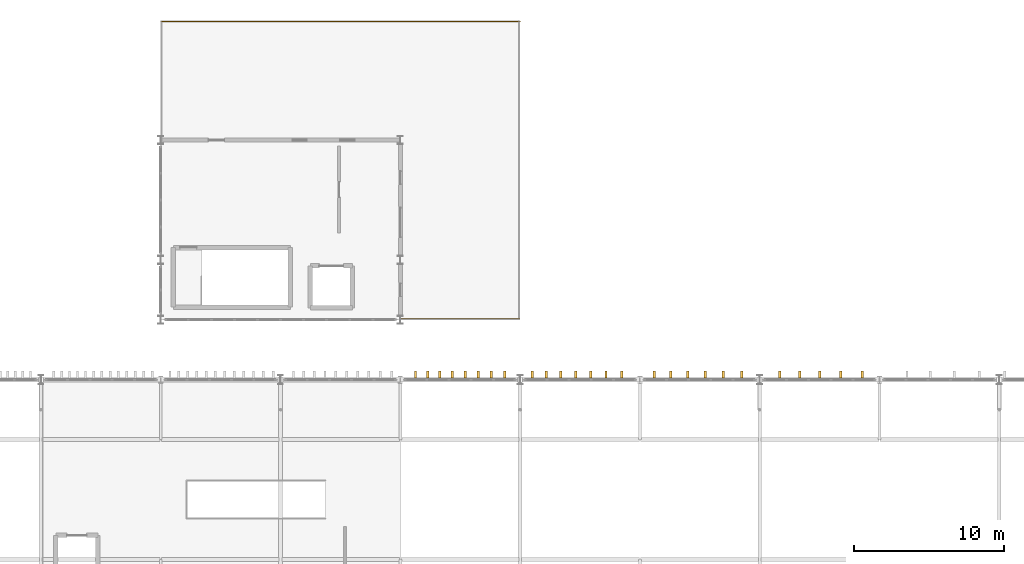
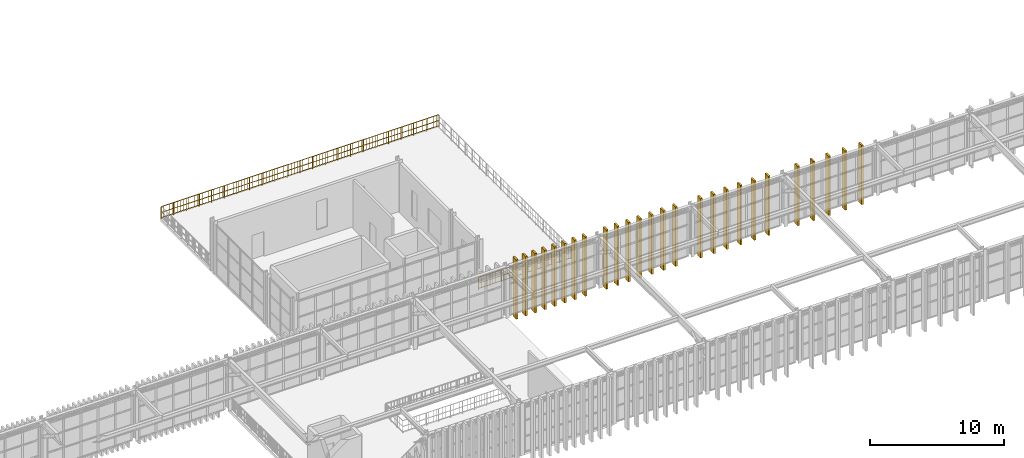
# One storey, part 59 of 61: 26 coverings, 2 railings.
"""IFC4 building model written with IfcOpenShell, lengths in metres."""

from ifc_helpers import new_model, si_unit, direction, frame, origin, origin_2d, place, context, subcontext, project, spatial, rectangle, extrude, material, layer, layer_set, type_object, element, save


model = new_model("IFC4")

# Units and contexts
model_context = context("Model", 3, precision=1e-05, world=origin(), true_north=direction((0.0, 1.0)))
body_context = subcontext(model_context, "Body", "Model", "MODEL_VIEW")
ifc_project = project(units=[si_unit("LENGTHUNIT", "METRE"), si_unit("AREAUNIT", "SQUARE_METRE"), si_unit("VOLUMEUNIT", "CUBIC_METRE"), si_unit("PLANEANGLEUNIT", "RADIAN"), si_unit("MASSUNIT", "GRAM", prefix="KILO")], contexts=[model_context])

# Site, building, storey
site_placement = place(None, origin())
site = spatial("IfcSite", under=ifc_project, at=site_placement, CompositionType="ELEMENT")
building_placement = place(site_placement, origin())
building = spatial("IfcBuilding", under=site, at=building_placement, Name="Serraluz Foothill Cableway Terminal", CompositionType="ELEMENT")
storey_placement = place(building_placement, frame((0.0, 0.0, 15.0)))
storey = spatial("IfcBuildingStorey", under=building, at=storey_placement, Name="L03", CompositionType="ELEMENT", Elevation=15.0)

# Coverings
ifc_material_1 = material(Name="Architectural bronze alloy C28000", Category="aluminium")
ifc_layer_1 = layer(ifc_material_1, 0.159912109375, Name="Architectural bronze alloy C28000", Category="aluminium")
ifc_layer_set_1 = layer_set([ifc_layer_1], Name="Architectural bronze alloy C28000")
covering_type = type_object("IfcCoveringType", Name="TYP-COV-SLAT-480", PredefinedType="CLADDING", material=ifc_layer_set_1)
for number, where, z_axis, x_axis, name in (
    (1, (97.013427734375, 72.360107421875, -0.64990234375), (0.0, 0.0, 1.0), (1.0, 0.0, 0.0), "Graduated Upper Vertical Facade Slat N-0238"),
    (2, (97.822265625, 72.360107421875, -0.64990234375), (0.0, 0.0, 1.0), (1.0, 0.0, 0.0), "Graduated Upper Vertical Facade Slat N-0239"),
    (3, (98.644287109375, 72.360107421875, -0.64990234375), (0.0, 0.0, 1.0), (1.0, 0.0, 0.0), "Graduated Upper Vertical Facade Slat N-0240"),
    (4, (99.47998046875, 72.360107421875, -0.64990234375), (0.0, 0.0, 1.0), (1.0, 0.0, 0.0), "Graduated Upper Vertical Facade Slat N-0241"),
    (5, (100.330078125, 72.360107421875, -0.64990234375), (0.0, 0.0, 1.0), (1.0, 0.0, 0.0), "Graduated Upper Vertical Facade Slat N-0242"),
    (6, (101.194580078125, 72.360107421875, -0.64990234375), (0.0, 0.0, 1.0), (1.0, 0.0, 0.0), "Graduated Upper Vertical Facade Slat N-0243"),
    (7, (102.074462890625, 72.360107421875, -0.64990234375), (0.0, 0.0, 1.0), (1.0, 0.0, 0.0), "Graduated Upper Vertical Facade Slat N-0244"),
    (8, (102.97021484375, 72.360107421875, -0.64990234375), (0.0, 0.0, 1.0), (1.0, 0.0, 0.0), "Graduated Upper Vertical Facade Slat N-0245"),
    (9, (104.8115234375, 72.360107421875, -0.64990234375), (0.0, 0.0, 1.0), (1.0, 0.0, 0.0), "Graduated Upper Vertical Facade Slat N-0246"),
    (10, (105.75830078125, 72.360107421875, -0.64990234375), (0.0, 0.0, 1.0), (1.0, 0.0, 0.0), "Graduated Upper Vertical Facade Slat N-0247"),
    (11, (106.723876953125, 72.360107421875, -0.64990234375), (0.0, 0.0, 1.0), (1.0, 0.0, 0.0), "Graduated Upper Vertical Facade Slat N-0248"),
    (12, (107.708251953125, 72.360107421875, -0.64990234375), (0.0, 0.0, 1.0), (1.0, 0.0, 0.0), "Graduated Upper Vertical Facade Slat N-0249"),
    (13, (108.712646484375, 72.360107421875, -0.64990234375), (0.0, 0.0, 1.0), (1.0, 0.0, 0.0), "Graduated Upper Vertical Facade Slat N-0250"),
    (14, (109.73779296875, 72.360107421875, -0.64990234375), (0.0, 0.0, 1.0), (1.0, 0.0, 0.0), "Graduated Upper Vertical Facade Slat N-0251"),
    (15, (110.784423828125, 72.360107421875, -0.64990234375), (0.0, 0.0, 1.0), (1.0, 0.0, 0.0), "Graduated Upper Vertical Facade Slat N-0252"),
    (16, (112.9462890625, 72.360107421875, -0.64990234375), (0.0, 0.0, 1.0), (1.0, 0.0, 0.0), "Graduated Upper Vertical Facade Slat N-0253"),
    (17, (114.063232421875, 72.360107421875, -0.64990234375), (0.0, 0.0, 1.0), (1.0, 0.0, 0.0), "Graduated Upper Vertical Facade Slat N-0254"),
    (18, (115.205810546875, 72.360107421875, -0.64990234375), (0.0, 0.0, 1.0), (1.0, 0.0, 0.0), "Graduated Upper Vertical Facade Slat N-0255"),
    (19, (116.375, 72.360107421875, -0.64990234375), (0.0, 0.0, 1.0), (1.0, 0.0, 0.0), "Graduated Upper Vertical Facade Slat N-0256"),
    (20, (117.572265625, 72.360107421875, -0.64990234375), (0.0, 0.0, 1.0), (1.0, 0.0, 0.0), "Graduated Upper Vertical Facade Slat N-0257"),
    (21, (118.79833984375, 72.360107421875, -0.64990234375), (0.0, 0.0, 1.0), (1.0, 0.0, 0.0), "Graduated Upper Vertical Facade Slat N-0258"),
    (22, (121.34375, 72.360107421875, -0.64990234375), (0.0, 0.0, 1.0), (1.0, 0.0, 0.0), "Graduated Upper Vertical Facade Slat N-0259"),
    (23, (122.665771484375, 72.360107421875, -0.64990234375), (0.0, 0.0, 1.0), (1.0, 0.0, 0.0), "Graduated Upper Vertical Facade Slat N-0260"),
    (24, (124.022705078125, 72.360107421875, -0.64990234375), (0.0, 0.0, 1.0), (1.0, 0.0, 0.0), "Graduated Upper Vertical Facade Slat N-0261"),
    (25, (125.41650390625, 72.360107421875, -0.64990234375), (0.0, 0.0, 1.0), (1.0, 0.0, 0.0), "Graduated Upper Vertical Facade Slat N-0262"),
    (26, (126.84912109375, 72.360107421875, -0.64990234375), (0.0, 0.0, 1.0), (1.0, 0.0, 0.0), "Graduated Upper Vertical Facade Slat N-0263"),
):
    element("IfcCovering", number, at=place(storey_placement, frame(where, z_axis=z_axis, x_axis=x_axis)), inside=storey, type_object=covering_type, Name=name, PredefinedType="CLADDING", context=body_context, shape_type="SweptSolid", body=[
        extrude(rectangle(XDim=0.159912109375, YDim=0.47998046875, at=origin_2d()), origin(), (0.0, 0.0, 1.0), 5.419921875),
    ])

# Railings
ifc_material_2 = material(Name="Steel ASTM A572 Grade 50", Category="steel")
ifc_layer_2 = layer(ifc_material_2, 0.06005859375, Name="Steel ASTM A572 Grade 50", Category="steel")
ifc_layer_set_2 = layer_set([ifc_layer_2], Name="Steel ASTM A572 Grade 50")
railing_type = type_object("IfcRailingType", Name="TYP-RL-BAL-1150", PredefinedType="BALUSTRADE", material=ifc_layer_set_2)
railing_1_placement = place(storey_placement, frame((95.95751953125, 76.06787109375, 0.0)))
element("IfcRailing", 27, at=railing_1_placement, inside=storey, type_object=railing_type, Name="BALUSTRADE BAL-TER-L03-V4-1", PredefinedType="BALUSTRADE", context=body_context, shape_type="SweptSolid", body=[
    extrude(rectangle(XDim=0.048095703125, YDim=0.048095703125, at=origin_2d()), frame((0.0, 0.0, 1.1259765625), z_axis=(1.0, 0.0, 0.0), x_axis=(0.0, 1.0, 0.0)), (0.0, 0.0, 1.0), 8.0),
    extrude(rectangle(XDim=0.048095703125, YDim=0.048095703125, at=origin_2d()), frame((0.0, 0.0, 0.597900390625), z_axis=(1.0, 0.0, 0.0), x_axis=(0.0, 1.0, 0.0)), (0.0, 0.0, 1.0), 8.0),
    extrude(rectangle(XDim=0.048095703125, YDim=0.048095703125, at=origin_2d()), frame((0.0, 0.0, 0.1201171875), z_axis=(1.0, 0.0, 0.0), x_axis=(0.0, 1.0, 0.0)), (0.0, 0.0, 1.0), 8.0),
    extrude(rectangle(XDim=0.02001953125, YDim=0.02001953125, at=origin_2d()), frame((0.242431640625, 0.0, 0.1201171875)), (0.0, 0.0, 1.0), 0.981689453125),
    extrude(rectangle(XDim=0.02001953125, YDim=0.02001953125, at=origin_2d()), frame((0.48486328125, 0.0, 0.1201171875)), (0.0, 0.0, 1.0), 0.981689453125),
    extrude(rectangle(XDim=0.02001953125, YDim=0.02001953125, at=origin_2d()), frame((0.727294921875, 0.0, 0.1201171875)), (0.0, 0.0, 1.0), 0.981689453125),
    extrude(rectangle(XDim=0.02001953125, YDim=0.02001953125, at=origin_2d()), frame((1.212158203125, 0.0, 0.1201171875)), (0.0, 0.0, 1.0), 0.981689453125),
    extrude(rectangle(XDim=0.02001953125, YDim=0.02001953125, at=origin_2d()), frame((1.45458984375, 0.0, 0.1201171875)), (0.0, 0.0, 1.0), 0.981689453125),
    extrude(rectangle(XDim=0.02001953125, YDim=0.02001953125, at=origin_2d()), frame((1.697021484375, 0.0, 0.1201171875)), (0.0, 0.0, 1.0), 0.981689453125),
    extrude(rectangle(XDim=0.02001953125, YDim=0.02001953125, at=origin_2d()), frame((1.939453125, 0.0, 0.1201171875)), (0.0, 0.0, 1.0), 0.981689453125),
    extrude(rectangle(XDim=0.02001953125, YDim=0.02001953125, at=origin_2d()), frame((2.181884765625, 0.0, 0.1201171875)), (0.0, 0.0, 1.0), 0.981689453125),
    extrude(rectangle(XDim=0.02001953125, YDim=0.02001953125, at=origin_2d()), frame((2.42431640625, 0.0, 0.1201171875)), (0.0, 0.0, 1.0), 0.981689453125),
    extrude(rectangle(XDim=0.02001953125, YDim=0.02001953125, at=origin_2d()), frame((2.666748046875, 0.0, 0.1201171875)), (0.0, 0.0, 1.0), 0.981689453125),
    extrude(rectangle(XDim=0.02001953125, YDim=0.02001953125, at=origin_2d()), frame((2.9091796875, 0.0, 0.1201171875)), (0.0, 0.0, 1.0), 0.981689453125),
    extrude(rectangle(XDim=0.02001953125, YDim=0.02001953125, at=origin_2d()), frame((3.151611328125, 0.0, 0.1201171875)), (0.0, 0.0, 1.0), 0.981689453125),
    extrude(rectangle(XDim=0.02001953125, YDim=0.02001953125, at=origin_2d()), frame((3.39404296875, 0.0, 0.1201171875)), (0.0, 0.0, 1.0), 0.981689453125),
    extrude(rectangle(XDim=0.02001953125, YDim=0.02001953125, at=origin_2d()), frame((3.636474609375, 0.0, 0.1201171875)), (0.0, 0.0, 1.0), 0.981689453125),
    extrude(rectangle(XDim=0.02001953125, YDim=0.02001953125, at=origin_2d()), frame((3.87890625, 0.0, 0.1201171875)), (0.0, 0.0, 1.0), 0.981689453125),
    extrude(rectangle(XDim=0.02001953125, YDim=0.02001953125, at=origin_2d()), frame((4.12109375, 0.0, 0.1201171875)), (0.0, 0.0, 1.0), 0.981689453125),
    extrude(rectangle(XDim=0.02001953125, YDim=0.02001953125, at=origin_2d()), frame((4.363525390625, 0.0, 0.1201171875)), (0.0, 0.0, 1.0), 0.981689453125),
    extrude(rectangle(XDim=0.02001953125, YDim=0.02001953125, at=origin_2d()), frame((4.60595703125, 0.0, 0.1201171875)), (0.0, 0.0, 1.0), 0.981689453125),
    extrude(rectangle(XDim=0.02001953125, YDim=0.02001953125, at=origin_2d()), frame((4.848388671875, 0.0, 0.1201171875)), (0.0, 0.0, 1.0), 0.981689453125),
    extrude(rectangle(XDim=0.02001953125, YDim=0.02001953125, at=origin_2d()), frame((5.0908203125, 0.0, 0.1201171875)), (0.0, 0.0, 1.0), 0.981689453125),
    extrude(rectangle(XDim=0.02001953125, YDim=0.02001953125, at=origin_2d()), frame((5.333251953125, 0.0, 0.1201171875)), (0.0, 0.0, 1.0), 0.981689453125),
    extrude(rectangle(XDim=0.02001953125, YDim=0.02001953125, at=origin_2d()), frame((5.57568359375, 0.0, 0.1201171875)), (0.0, 0.0, 1.0), 0.981689453125),
    extrude(rectangle(XDim=0.02001953125, YDim=0.02001953125, at=origin_2d()), frame((5.818115234375, 0.0, 0.1201171875)), (0.0, 0.0, 1.0), 0.981689453125),
    extrude(rectangle(XDim=0.02001953125, YDim=0.02001953125, at=origin_2d()), frame((6.060546875, 0.0, 0.1201171875)), (0.0, 0.0, 1.0), 0.981689453125),
    extrude(rectangle(XDim=0.02001953125, YDim=0.02001953125, at=origin_2d()), frame((6.302978515625, 0.0, 0.1201171875)), (0.0, 0.0, 1.0), 0.981689453125),
    extrude(rectangle(XDim=0.02001953125, YDim=0.02001953125, at=origin_2d()), frame((6.54541015625, 0.0, 0.1201171875)), (0.0, 0.0, 1.0), 0.981689453125),
    extrude(rectangle(XDim=0.02001953125, YDim=0.02001953125, at=origin_2d()), frame((6.787841796875, 0.0, 0.1201171875)), (0.0, 0.0, 1.0), 0.981689453125),
    extrude(rectangle(XDim=0.02001953125, YDim=0.02001953125, at=origin_2d()), frame((7.272705078125, 0.0, 0.1201171875)), (0.0, 0.0, 1.0), 0.981689453125),
    extrude(rectangle(XDim=0.02001953125, YDim=0.02001953125, at=origin_2d()), frame((7.51513671875, 0.0, 0.1201171875)), (0.0, 0.0, 1.0), 0.981689453125),
    extrude(rectangle(XDim=0.02001953125, YDim=0.02001953125, at=origin_2d()), frame((7.757568359375, 0.0, 0.1201171875)), (0.0, 0.0, 1.0), 0.981689453125),
    extrude(rectangle(XDim=0.0439453125, YDim=0.0439453125, at=origin_2d()), origin(), (0.0, 0.0, 1.0), 1.101806640625),
    extrude(rectangle(XDim=0.0439453125, YDim=0.0439453125, at=origin_2d()), frame((1.0, 0.0, 0.0)), (0.0, 0.0, 1.0), 1.101806640625),
    extrude(rectangle(XDim=0.0439453125, YDim=0.0439453125, at=origin_2d()), frame((2.0, 0.0, 0.0)), (0.0, 0.0, 1.0), 1.101806640625),
    extrude(rectangle(XDim=0.0439453125, YDim=0.0439453125, at=origin_2d()), frame((3.0, 0.0, 0.0)), (0.0, 0.0, 1.0), 1.101806640625),
    extrude(rectangle(XDim=0.0439453125, YDim=0.0439453125, at=origin_2d()), frame((4.0, 0.0, 0.0)), (0.0, 0.0, 1.0), 1.101806640625),
    extrude(rectangle(XDim=0.0439453125, YDim=0.0439453125, at=origin_2d()), frame((5.0, 0.0, 0.0)), (0.0, 0.0, 1.0), 1.101806640625),
    extrude(rectangle(XDim=0.0439453125, YDim=0.0439453125, at=origin_2d()), frame((6.0, 0.0, 0.0)), (0.0, 0.0, 1.0), 1.101806640625),
    extrude(rectangle(XDim=0.0439453125, YDim=0.0439453125, at=origin_2d()), frame((7.0, 0.0, 0.0)), (0.0, 0.0, 1.0), 1.101806640625),
    extrude(rectangle(XDim=0.0439453125, YDim=0.0439453125, at=origin_2d()), frame((8.0, 0.0, 0.0)), (0.0, 0.0, 1.0), 1.101806640625),
])
railing_2_placement = place(storey_placement, frame((104.01123046875, 95.9208984375, 0.0)))
element("IfcRailing", 28, at=railing_2_placement, inside=storey, type_object=railing_type, Name="BALUSTRADE BAL-TER-L03-V4-3", PredefinedType="BALUSTRADE", context=body_context, shape_type="SweptSolid", body=[
    extrude(rectangle(XDim=0.048095703125, YDim=0.048095703125, at=origin_2d()), frame((0.0, 0.0, 1.1259765625), z_axis=(-1.0, 0.0, 0.0), x_axis=(0.0, -1.0, 0.0)), (0.0, 0.0, 1.0), 24.0),
    extrude(rectangle(XDim=0.048095703125, YDim=0.048095703125, at=origin_2d()), frame((0.0, 0.0, 0.597900390625), z_axis=(-1.0, 0.0, 0.0), x_axis=(0.0, -1.0, 0.0)), (0.0, 0.0, 1.0), 24.0),
    extrude(rectangle(XDim=0.048095703125, YDim=0.048095703125, at=origin_2d()), frame((0.0, 0.0, 0.1201171875), z_axis=(-1.0, 0.0, 0.0), x_axis=(0.0, -1.0, 0.0)), (0.0, 0.0, 1.0), 24.0),
    extrude(rectangle(XDim=0.02001953125, YDim=0.02001953125, at=origin_2d()), frame((-0.239990234375, 0.0, 0.1201171875)), (0.0, 0.0, 1.0), 0.981689453125),
    extrude(rectangle(XDim=0.02001953125, YDim=0.02001953125, at=origin_2d()), frame((-0.47998046875, 0.0, 0.1201171875)), (0.0, 0.0, 1.0), 0.981689453125),
    extrude(rectangle(XDim=0.02001953125, YDim=0.02001953125, at=origin_2d()), frame((-0.719970703125, 0.0, 0.1201171875)), (0.0, 0.0, 1.0), 0.981689453125),
    extrude(rectangle(XDim=0.02001953125, YDim=0.02001953125, at=origin_2d()), frame((-0.9599609375, 0.0, 0.1201171875)), (0.0, 0.0, 1.0), 0.981689453125),
    extrude(rectangle(XDim=0.02001953125, YDim=0.02001953125, at=origin_2d()), frame((-1.199951171875, 0.0, 0.1201171875)), (0.0, 0.0, 1.0), 0.981689453125),
    extrude(rectangle(XDim=0.02001953125, YDim=0.02001953125, at=origin_2d()), frame((-1.43994140625, 0.0, 0.1201171875)), (0.0, 0.0, 1.0), 0.981689453125),
    extrude(rectangle(XDim=0.02001953125, YDim=0.02001953125, at=origin_2d()), frame((-1.679931640625, 0.0, 0.1201171875)), (0.0, 0.0, 1.0), 0.981689453125),
    extrude(rectangle(XDim=0.02001953125, YDim=0.02001953125, at=origin_2d()), frame((-1.919921875, 0.0, 0.1201171875)), (0.0, 0.0, 1.0), 0.981689453125),
    extrude(rectangle(XDim=0.02001953125, YDim=0.02001953125, at=origin_2d()), frame((-2.39990234375, 0.0, 0.1201171875)), (0.0, 0.0, 1.0), 0.981689453125),
    extrude(rectangle(XDim=0.02001953125, YDim=0.02001953125, at=origin_2d()), frame((-2.639892578125, 0.0, 0.1201171875)), (0.0, 0.0, 1.0), 0.981689453125),
    extrude(rectangle(XDim=0.02001953125, YDim=0.02001953125, at=origin_2d()), frame((-2.8798828125, 0.0, 0.1201171875)), (0.0, 0.0, 1.0), 0.981689453125),
    extrude(rectangle(XDim=0.02001953125, YDim=0.02001953125, at=origin_2d()), frame((-3.1201171875, 0.0, 0.1201171875)), (0.0, 0.0, 1.0), 0.981689453125),
    extrude(rectangle(XDim=0.02001953125, YDim=0.02001953125, at=origin_2d()), frame((-3.360107421875, 0.0, 0.1201171875)), (0.0, 0.0, 1.0), 0.981689453125),
    extrude(rectangle(XDim=0.02001953125, YDim=0.02001953125, at=origin_2d()), frame((-3.60009765625, 0.0, 0.1201171875)), (0.0, 0.0, 1.0), 0.981689453125),
    extrude(rectangle(XDim=0.02001953125, YDim=0.02001953125, at=origin_2d()), frame((-3.840087890625, 0.0, 0.1201171875)), (0.0, 0.0, 1.0), 0.981689453125),
    extrude(rectangle(XDim=0.02001953125, YDim=0.02001953125, at=origin_2d()), frame((-4.080078125, 0.0, 0.1201171875)), (0.0, 0.0, 1.0), 0.981689453125),
    extrude(rectangle(XDim=0.02001953125, YDim=0.02001953125, at=origin_2d()), frame((-4.56005859375, 0.0, 0.1201171875)), (0.0, 0.0, 1.0), 0.981689453125),
    extrude(rectangle(XDim=0.02001953125, YDim=0.02001953125, at=origin_2d()), frame((-4.800048828125, 0.0, 0.1201171875)), (0.0, 0.0, 1.0), 0.981689453125),
    extrude(rectangle(XDim=0.02001953125, YDim=0.02001953125, at=origin_2d()), frame((-5.0400390625, 0.0, 0.1201171875)), (0.0, 0.0, 1.0), 0.981689453125),
    extrude(rectangle(XDim=0.02001953125, YDim=0.02001953125, at=origin_2d()), frame((-5.280029296875, 0.0, 0.1201171875)), (0.0, 0.0, 1.0), 0.981689453125),
    extrude(rectangle(XDim=0.02001953125, YDim=0.02001953125, at=origin_2d()), frame((-5.52001953125, 0.0, 0.1201171875)), (0.0, 0.0, 1.0), 0.981689453125),
    extrude(rectangle(XDim=0.02001953125, YDim=0.02001953125, at=origin_2d()), frame((-5.760009765625, 0.0, 0.1201171875)), (0.0, 0.0, 1.0), 0.981689453125),
    extrude(rectangle(XDim=0.02001953125, YDim=0.02001953125, at=origin_2d()), frame((-6.0, 0.0, 0.1201171875)), (0.0, 0.0, 1.0), 0.981689453125),
    extrude(rectangle(XDim=0.02001953125, YDim=0.02001953125, at=origin_2d()), frame((-6.239990234375, 0.0, 0.1201171875)), (0.0, 0.0, 1.0), 0.981689453125),
    extrude(rectangle(XDim=0.02001953125, YDim=0.02001953125, at=origin_2d()), frame((-6.47998046875, 0.0, 0.1201171875)), (0.0, 0.0, 1.0), 0.981689453125),
    extrude(rectangle(XDim=0.02001953125, YDim=0.02001953125, at=origin_2d()), frame((-6.719970703125, 0.0, 0.1201171875)), (0.0, 0.0, 1.0), 0.981689453125),
    extrude(rectangle(XDim=0.02001953125, YDim=0.02001953125, at=origin_2d()), frame((-6.9599609375, 0.0, 0.1201171875)), (0.0, 0.0, 1.0), 0.981689453125),
    extrude(rectangle(XDim=0.02001953125, YDim=0.02001953125, at=origin_2d()), frame((-7.199951171875, 0.0, 0.1201171875)), (0.0, 0.0, 1.0), 0.981689453125),
    extrude(rectangle(XDim=0.02001953125, YDim=0.02001953125, at=origin_2d()), frame((-7.43994140625, 0.0, 0.1201171875)), (0.0, 0.0, 1.0), 0.981689453125),
    extrude(rectangle(XDim=0.02001953125, YDim=0.02001953125, at=origin_2d()), frame((-7.919921875, 0.0, 0.1201171875)), (0.0, 0.0, 1.0), 0.981689453125),
    extrude(rectangle(XDim=0.02001953125, YDim=0.02001953125, at=origin_2d()), frame((-8.159912109375, 0.0, 0.1201171875)), (0.0, 0.0, 1.0), 0.981689453125),
    extrude(rectangle(XDim=0.02001953125, YDim=0.02001953125, at=origin_2d()), frame((-8.39990234375, 0.0, 0.1201171875)), (0.0, 0.0, 1.0), 0.981689453125),
    extrude(rectangle(XDim=0.02001953125, YDim=0.02001953125, at=origin_2d()), frame((-8.639892578125, 0.0, 0.1201171875)), (0.0, 0.0, 1.0), 0.981689453125),
    extrude(rectangle(XDim=0.02001953125, YDim=0.02001953125, at=origin_2d()), frame((-8.8798828125, 0.0, 0.1201171875)), (0.0, 0.0, 1.0), 0.981689453125),
    extrude(rectangle(XDim=0.02001953125, YDim=0.02001953125, at=origin_2d()), frame((-9.1201171875, 0.0, 0.1201171875)), (0.0, 0.0, 1.0), 0.981689453125),
    extrude(rectangle(XDim=0.02001953125, YDim=0.02001953125, at=origin_2d()), frame((-9.360107421875, 0.0, 0.1201171875)), (0.0, 0.0, 1.0), 0.981689453125),
    extrude(rectangle(XDim=0.02001953125, YDim=0.02001953125, at=origin_2d()), frame((-9.60009765625, 0.0, 0.1201171875)), (0.0, 0.0, 1.0), 0.981689453125),
    extrude(rectangle(XDim=0.02001953125, YDim=0.02001953125, at=origin_2d()), frame((-10.080078125, 0.0, 0.1201171875)), (0.0, 0.0, 1.0), 0.981689453125),
    extrude(rectangle(XDim=0.02001953125, YDim=0.02001953125, at=origin_2d()), frame((-10.320068359375, 0.0, 0.1201171875)), (0.0, 0.0, 1.0), 0.981689453125),
    extrude(rectangle(XDim=0.02001953125, YDim=0.02001953125, at=origin_2d()), frame((-10.56005859375, 0.0, 0.1201171875)), (0.0, 0.0, 1.0), 0.981689453125),
    extrude(rectangle(XDim=0.02001953125, YDim=0.02001953125, at=origin_2d()), frame((-10.800048828125, 0.0, 0.1201171875)), (0.0, 0.0, 1.0), 0.981689453125),
    extrude(rectangle(XDim=0.02001953125, YDim=0.02001953125, at=origin_2d()), frame((-11.0400390625, 0.0, 0.1201171875)), (0.0, 0.0, 1.0), 0.981689453125),
    extrude(rectangle(XDim=0.02001953125, YDim=0.02001953125, at=origin_2d()), frame((-11.280029296875, 0.0, 0.1201171875)), (0.0, 0.0, 1.0), 0.981689453125),
    extrude(rectangle(XDim=0.02001953125, YDim=0.02001953125, at=origin_2d()), frame((-11.52001953125, 0.0, 0.1201171875)), (0.0, 0.0, 1.0), 0.981689453125),
    extrude(rectangle(XDim=0.02001953125, YDim=0.02001953125, at=origin_2d()), frame((-11.760009765625, 0.0, 0.1201171875)), (0.0, 0.0, 1.0), 0.981689453125),
    extrude(rectangle(XDim=0.02001953125, YDim=0.02001953125, at=origin_2d()), frame((-12.239990234375, 0.0, 0.1201171875)), (0.0, 0.0, 1.0), 0.981689453125),
    extrude(rectangle(XDim=0.02001953125, YDim=0.02001953125, at=origin_2d()), frame((-12.47998046875, 0.0, 0.1201171875)), (0.0, 0.0, 1.0), 0.981689453125),
    extrude(rectangle(XDim=0.02001953125, YDim=0.02001953125, at=origin_2d()), frame((-12.719970703125, 0.0, 0.1201171875)), (0.0, 0.0, 1.0), 0.981689453125),
    extrude(rectangle(XDim=0.02001953125, YDim=0.02001953125, at=origin_2d()), frame((-12.9599609375, 0.0, 0.1201171875)), (0.0, 0.0, 1.0), 0.981689453125),
    extrude(rectangle(XDim=0.02001953125, YDim=0.02001953125, at=origin_2d()), frame((-13.199951171875, 0.0, 0.1201171875)), (0.0, 0.0, 1.0), 0.981689453125),
    extrude(rectangle(XDim=0.02001953125, YDim=0.02001953125, at=origin_2d()), frame((-13.43994140625, 0.0, 0.1201171875)), (0.0, 0.0, 1.0), 0.981689453125),
    extrude(rectangle(XDim=0.02001953125, YDim=0.02001953125, at=origin_2d()), frame((-13.679931640625, 0.0, 0.1201171875)), (0.0, 0.0, 1.0), 0.981689453125),
    extrude(rectangle(XDim=0.02001953125, YDim=0.02001953125, at=origin_2d()), frame((-13.919921875, 0.0, 0.1201171875)), (0.0, 0.0, 1.0), 0.981689453125),
    extrude(rectangle(XDim=0.02001953125, YDim=0.02001953125, at=origin_2d()), frame((-14.39990234375, 0.0, 0.1201171875)), (0.0, 0.0, 1.0), 0.981689453125),
    extrude(rectangle(XDim=0.02001953125, YDim=0.02001953125, at=origin_2d()), frame((-14.639892578125, 0.0, 0.1201171875)), (0.0, 0.0, 1.0), 0.981689453125),
    extrude(rectangle(XDim=0.02001953125, YDim=0.02001953125, at=origin_2d()), frame((-14.8798828125, 0.0, 0.1201171875)), (0.0, 0.0, 1.0), 0.981689453125),
    extrude(rectangle(XDim=0.02001953125, YDim=0.02001953125, at=origin_2d()), frame((-15.1201171875, 0.0, 0.1201171875)), (0.0, 0.0, 1.0), 0.981689453125),
    extrude(rectangle(XDim=0.02001953125, YDim=0.02001953125, at=origin_2d()), frame((-15.360107421875, 0.0, 0.1201171875)), (0.0, 0.0, 1.0), 0.981689453125),
    extrude(rectangle(XDim=0.02001953125, YDim=0.02001953125, at=origin_2d()), frame((-15.60009765625, 0.0, 0.1201171875)), (0.0, 0.0, 1.0), 0.981689453125),
    extrude(rectangle(XDim=0.02001953125, YDim=0.02001953125, at=origin_2d()), frame((-15.840087890625, 0.0, 0.1201171875)), (0.0, 0.0, 1.0), 0.981689453125),
    extrude(rectangle(XDim=0.02001953125, YDim=0.02001953125, at=origin_2d()), frame((-16.080078125, 0.0, 0.1201171875)), (0.0, 0.0, 1.0), 0.981689453125),
    extrude(rectangle(XDim=0.02001953125, YDim=0.02001953125, at=origin_2d()), frame((-16.56005859375, 0.0, 0.1201171875)), (0.0, 0.0, 1.0), 0.981689453125),
    extrude(rectangle(XDim=0.02001953125, YDim=0.02001953125, at=origin_2d()), frame((-16.800048828125, 0.0, 0.1201171875)), (0.0, 0.0, 1.0), 0.981689453125),
    extrude(rectangle(XDim=0.02001953125, YDim=0.02001953125, at=origin_2d()), frame((-17.0400390625, 0.0, 0.1201171875)), (0.0, 0.0, 1.0), 0.981689453125),
    extrude(rectangle(XDim=0.02001953125, YDim=0.02001953125, at=origin_2d()), frame((-17.280029296875, 0.0, 0.1201171875)), (0.0, 0.0, 1.0), 0.981689453125),
    extrude(rectangle(XDim=0.02001953125, YDim=0.02001953125, at=origin_2d()), frame((-17.52001953125, 0.0, 0.1201171875)), (0.0, 0.0, 1.0), 0.981689453125),
    extrude(rectangle(XDim=0.02001953125, YDim=0.02001953125, at=origin_2d()), frame((-17.760009765625, 0.0, 0.1201171875)), (0.0, 0.0, 1.0), 0.981689453125),
    extrude(rectangle(XDim=0.02001953125, YDim=0.02001953125, at=origin_2d()), frame((-18.0, 0.0, 0.1201171875)), (0.0, 0.0, 1.0), 0.981689453125),
    extrude(rectangle(XDim=0.02001953125, YDim=0.02001953125, at=origin_2d()), frame((-18.239990234375, 0.0, 0.1201171875)), (0.0, 0.0, 1.0), 0.981689453125),
    extrude(rectangle(XDim=0.02001953125, YDim=0.02001953125, at=origin_2d()), frame((-18.47998046875, 0.0, 0.1201171875)), (0.0, 0.0, 1.0), 0.981689453125),
    extrude(rectangle(XDim=0.02001953125, YDim=0.02001953125, at=origin_2d()), frame((-18.719970703125, 0.0, 0.1201171875)), (0.0, 0.0, 1.0), 0.981689453125),
    extrude(rectangle(XDim=0.02001953125, YDim=0.02001953125, at=origin_2d()), frame((-18.9599609375, 0.0, 0.1201171875)), (0.0, 0.0, 1.0), 0.981689453125),
    extrude(rectangle(XDim=0.02001953125, YDim=0.02001953125, at=origin_2d()), frame((-19.199951171875, 0.0, 0.1201171875)), (0.0, 0.0, 1.0), 0.981689453125),
    extrude(rectangle(XDim=0.02001953125, YDim=0.02001953125, at=origin_2d()), frame((-19.43994140625, 0.0, 0.1201171875)), (0.0, 0.0, 1.0), 0.981689453125),
    extrude(rectangle(XDim=0.02001953125, YDim=0.02001953125, at=origin_2d()), frame((-19.919921875, 0.0, 0.1201171875)), (0.0, 0.0, 1.0), 0.981689453125),
    extrude(rectangle(XDim=0.02001953125, YDim=0.02001953125, at=origin_2d()), frame((-20.159912109375, 0.0, 0.1201171875)), (0.0, 0.0, 1.0), 0.981689453125),
    extrude(rectangle(XDim=0.02001953125, YDim=0.02001953125, at=origin_2d()), frame((-20.39990234375, 0.0, 0.1201171875)), (0.0, 0.0, 1.0), 0.981689453125),
    extrude(rectangle(XDim=0.02001953125, YDim=0.02001953125, at=origin_2d()), frame((-20.639892578125, 0.0, 0.1201171875)), (0.0, 0.0, 1.0), 0.981689453125),
    extrude(rectangle(XDim=0.02001953125, YDim=0.02001953125, at=origin_2d()), frame((-20.8798828125, 0.0, 0.1201171875)), (0.0, 0.0, 1.0), 0.981689453125),
    extrude(rectangle(XDim=0.02001953125, YDim=0.02001953125, at=origin_2d()), frame((-21.1201171875, 0.0, 0.1201171875)), (0.0, 0.0, 1.0), 0.981689453125),
    extrude(rectangle(XDim=0.02001953125, YDim=0.02001953125, at=origin_2d()), frame((-21.360107421875, 0.0, 0.1201171875)), (0.0, 0.0, 1.0), 0.981689453125),
    extrude(rectangle(XDim=0.02001953125, YDim=0.02001953125, at=origin_2d()), frame((-21.60009765625, 0.0, 0.1201171875)), (0.0, 0.0, 1.0), 0.981689453125),
    extrude(rectangle(XDim=0.02001953125, YDim=0.02001953125, at=origin_2d()), frame((-22.080078125, 0.0, 0.1201171875)), (0.0, 0.0, 1.0), 0.981689453125),
    extrude(rectangle(XDim=0.02001953125, YDim=0.02001953125, at=origin_2d()), frame((-22.320068359375, 0.0, 0.1201171875)), (0.0, 0.0, 1.0), 0.981689453125),
    extrude(rectangle(XDim=0.02001953125, YDim=0.02001953125, at=origin_2d()), frame((-22.56005859375, 0.0, 0.1201171875)), (0.0, 0.0, 1.0), 0.981689453125),
    extrude(rectangle(XDim=0.02001953125, YDim=0.02001953125, at=origin_2d()), frame((-22.800048828125, 0.0, 0.1201171875)), (0.0, 0.0, 1.0), 0.981689453125),
    extrude(rectangle(XDim=0.02001953125, YDim=0.02001953125, at=origin_2d()), frame((-23.0400390625, 0.0, 0.1201171875)), (0.0, 0.0, 1.0), 0.981689453125),
    extrude(rectangle(XDim=0.02001953125, YDim=0.02001953125, at=origin_2d()), frame((-23.280029296875, 0.0, 0.1201171875)), (0.0, 0.0, 1.0), 0.981689453125),
    extrude(rectangle(XDim=0.02001953125, YDim=0.02001953125, at=origin_2d()), frame((-23.52001953125, 0.0, 0.1201171875)), (0.0, 0.0, 1.0), 0.981689453125),
    extrude(rectangle(XDim=0.02001953125, YDim=0.02001953125, at=origin_2d()), frame((-23.760009765625, 0.0, 0.1201171875)), (0.0, 0.0, 1.0), 0.981689453125),
    extrude(rectangle(XDim=0.0439453125, YDim=0.0439453125, at=origin_2d()), origin(), (0.0, 0.0, 1.0), 1.101806640625),
    extrude(rectangle(XDim=0.0439453125, YDim=0.0439453125, at=origin_2d()), frame((-1.0908203125, 0.0, 0.0)), (0.0, 0.0, 1.0), 1.101806640625),
    extrude(rectangle(XDim=0.0439453125, YDim=0.0439453125, at=origin_2d()), frame((-2.181884765625, 0.0, 0.0)), (0.0, 0.0, 1.0), 1.101806640625),
    extrude(rectangle(XDim=0.0439453125, YDim=0.0439453125, at=origin_2d()), frame((-3.272705078125, 0.0, 0.0)), (0.0, 0.0, 1.0), 1.101806640625),
    extrude(rectangle(XDim=0.0439453125, YDim=0.0439453125, at=origin_2d()), frame((-4.363525390625, 0.0, 0.0)), (0.0, 0.0, 1.0), 1.101806640625),
    extrude(rectangle(XDim=0.0439453125, YDim=0.0439453125, at=origin_2d()), frame((-5.45458984375, 0.0, 0.0)), (0.0, 0.0, 1.0), 1.101806640625),
    extrude(rectangle(XDim=0.0439453125, YDim=0.0439453125, at=origin_2d()), frame((-6.54541015625, 0.0, 0.0)), (0.0, 0.0, 1.0), 1.101806640625),
    extrude(rectangle(XDim=0.0439453125, YDim=0.0439453125, at=origin_2d()), frame((-7.636474609375, 0.0, 0.0)), (0.0, 0.0, 1.0), 1.101806640625),
    extrude(rectangle(XDim=0.0439453125, YDim=0.0439453125, at=origin_2d()), frame((-8.727294921875, 0.0, 0.0)), (0.0, 0.0, 1.0), 1.101806640625),
    extrude(rectangle(XDim=0.0439453125, YDim=0.0439453125, at=origin_2d()), frame((-9.818115234375, 0.0, 0.0)), (0.0, 0.0, 1.0), 1.101806640625),
    extrude(rectangle(XDim=0.0439453125, YDim=0.0439453125, at=origin_2d()), frame((-10.9091796875, 0.0, 0.0)), (0.0, 0.0, 1.0), 1.101806640625),
    extrude(rectangle(XDim=0.0439453125, YDim=0.0439453125, at=origin_2d()), frame((-12.0, 0.0, 0.0)), (0.0, 0.0, 1.0), 1.101806640625),
    extrude(rectangle(XDim=0.0439453125, YDim=0.0439453125, at=origin_2d()), frame((-13.0908203125, 0.0, 0.0)), (0.0, 0.0, 1.0), 1.101806640625),
    extrude(rectangle(XDim=0.0439453125, YDim=0.0439453125, at=origin_2d()), frame((-14.181884765625, 0.0, 0.0)), (0.0, 0.0, 1.0), 1.101806640625),
    extrude(rectangle(XDim=0.0439453125, YDim=0.0439453125, at=origin_2d()), frame((-15.272705078125, 0.0, 0.0)), (0.0, 0.0, 1.0), 1.101806640625),
    extrude(rectangle(XDim=0.0439453125, YDim=0.0439453125, at=origin_2d()), frame((-16.363525390625, 0.0, 0.0)), (0.0, 0.0, 1.0), 1.101806640625),
    extrude(rectangle(XDim=0.0439453125, YDim=0.0439453125, at=origin_2d()), frame((-17.45458984375, 0.0, 0.0)), (0.0, 0.0, 1.0), 1.101806640625),
    extrude(rectangle(XDim=0.0439453125, YDim=0.0439453125, at=origin_2d()), frame((-18.54541015625, 0.0, 0.0)), (0.0, 0.0, 1.0), 1.101806640625),
    extrude(rectangle(XDim=0.0439453125, YDim=0.0439453125, at=origin_2d()), frame((-19.636474609375, 0.0, 0.0)), (0.0, 0.0, 1.0), 1.101806640625),
    extrude(rectangle(XDim=0.0439453125, YDim=0.0439453125, at=origin_2d()), frame((-20.727294921875, 0.0, 0.0)), (0.0, 0.0, 1.0), 1.101806640625),
    extrude(rectangle(XDim=0.0439453125, YDim=0.0439453125, at=origin_2d()), frame((-21.818115234375, 0.0, 0.0)), (0.0, 0.0, 1.0), 1.101806640625),
    extrude(rectangle(XDim=0.0439453125, YDim=0.0439453125, at=origin_2d()), frame((-22.9091796875, 0.0, 0.0)), (0.0, 0.0, 1.0), 1.101806640625),
    extrude(rectangle(XDim=0.0439453125, YDim=0.0439453125, at=origin_2d()), frame((-24.0, 0.0, 0.0)), (0.0, 0.0, 1.0), 1.101806640625),
])

save(model, "model.ifc")
